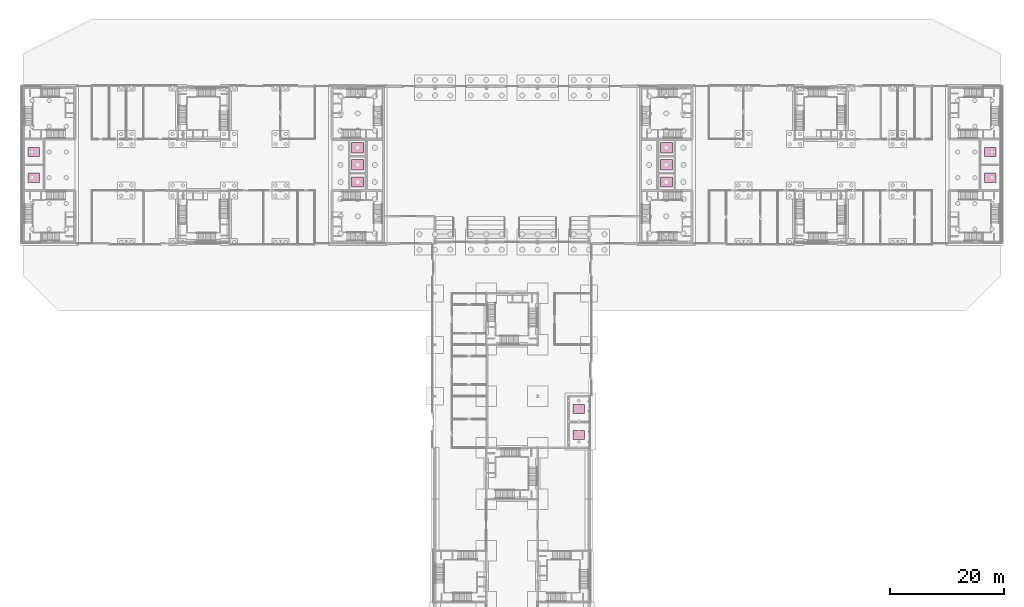
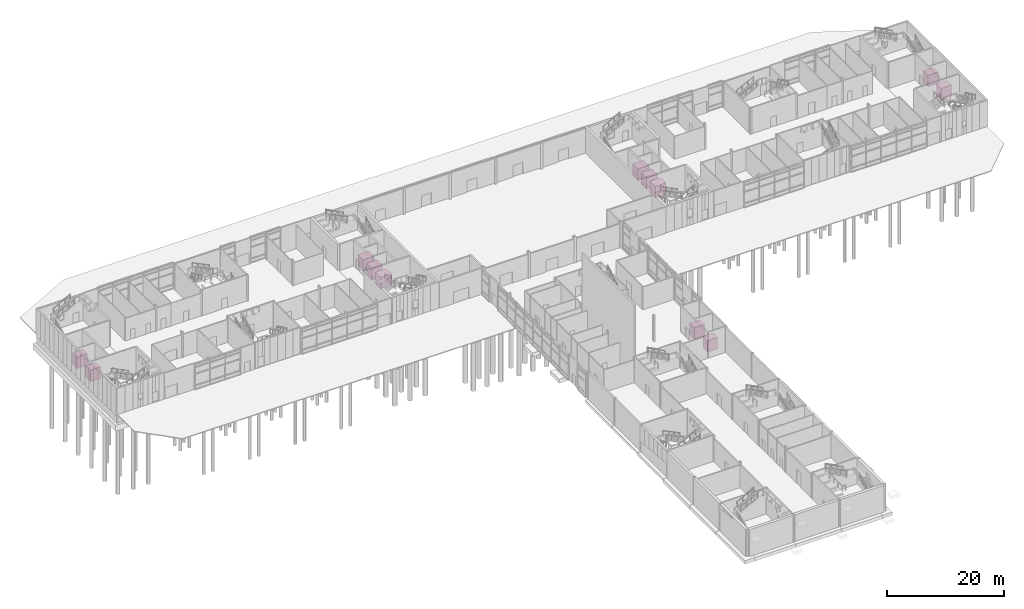
# One storey, part 45 of 45: 12 transport elements.
"""IFC4 building model written with IfcOpenShell, lengths in metres."""

from ifc_helpers import new_model, si_unit, direction, frame, origin, origin_2d, place, context, subcontext, project, spatial, rectangle, extrude, material, type_object, element, save


model = new_model("IFC4")

# Units and contexts
model_context = context("Model", 3, precision=1e-05, world=origin(), true_north=direction((0.0, 1.0)))
body_context = subcontext(model_context, "Body", "Model", "MODEL_VIEW")
ifc_project = project(units=[si_unit("LENGTHUNIT", "METRE"), si_unit("AREAUNIT", "SQUARE_METRE"), si_unit("VOLUMEUNIT", "CUBIC_METRE"), si_unit("PLANEANGLEUNIT", "RADIAN"), si_unit("MASSUNIT", "GRAM", prefix="KILO")], contexts=[model_context])

# Site, building, storey
site_placement = place(None, origin())
site = spatial("IfcSite", under=ifc_project, at=site_placement, CompositionType="ELEMENT")
building_placement = place(site_placement, origin())
building = spatial("IfcBuilding", under=site, at=building_placement, Name="Azimuth Sports and Learning Centre", CompositionType="ELEMENT")
storey_placement = place(building_placement, origin())
storey = spatial("IfcBuildingStorey", under=building, at=storey_placement, Name="L00", CompositionType="ELEMENT", Elevation=0.0)

# Transport elements
ifc_material_1 = material(Name="Passenger lift 1275 kg")
transport_element_type_1 = type_object("IfcTransportElementType", Name="Passenger lift 1275 kg", PredefinedType="ELEVATOR", material=ifc_material_1)
for number, where, z_axis, x_axis, name in (
    (1, (1.8125, 101.25, 0.0), (0.0, 0.0, 1.0), (1.0, 0.0, 0.0), "Lift LWW1"),
    (2, (1.8125, 105.75, 0.0), (0.0, 0.0, 1.0), (1.0, 0.0, 0.0), "Lift LWW2"),
    (3, (169.1875, 101.25, 0.0), (0.0, 0.0, 1.0), (1.0, 0.0, 0.0), "Lift LEW1"),
    (4, (169.1875, 105.75, 0.0), (0.0, 0.0, 1.0), (1.0, 0.0, 0.0), "Lift LEW2"),
    (5, (97.199951171875, 56.25, 0.0), (0.0, 0.0, 1.0), (1.0, 0.0, 0.0), "Lift LS1"),
    (6, (97.199951171875, 60.75, 0.0), (0.0, 0.0, 1.0), (1.0, 0.0, 0.0), "Lift LS2"),
):
    element("IfcTransportElement", number, at=place(storey_placement, frame(where, z_axis=z_axis, x_axis=x_axis)), inside=storey, type_object=transport_element_type_1, Name=name, PredefinedType="ELEVATOR", context=body_context, shape_type="SweptSolid", body=[
        extrude(rectangle(XDim=2.0, YDim=1.60009765625, at=origin_2d()), origin(), (0.0, 0.0, 1.0), 2.39990234375),
    ])
ifc_material_2 = material(Name="Passenger lift 1600 kg")
transport_element_type_2 = type_object("IfcTransportElementType", Name="Passenger lift 1600 kg", PredefinedType="ELEVATOR", material=ifc_material_2)
for number, where, z_axis, x_axis, name in (
    (7, (58.5, 100.5, 0.0), (0.0, 0.0, 1.0), (1.0, 0.0, 0.0), "Lift LW1"),
    (8, (58.5, 103.5, 0.0), (0.0, 0.0, 1.0), (1.0, 0.0, 0.0), "Lift LW2"),
    (9, (58.5, 106.5, 0.0), (0.0, 0.0, 1.0), (1.0, 0.0, 0.0), "Lift LW3"),
    (10, (112.5, 100.5, 0.0), (0.0, 0.0, 1.0), (1.0, 0.0, 0.0), "Lift LE1"),
    (11, (112.5, 103.5, 0.0), (0.0, 0.0, 1.0), (1.0, 0.0, 0.0), "Lift LE2"),
    (12, (112.5, 106.5, 0.0), (0.0, 0.0, 1.0), (1.0, 0.0, 0.0), "Lift LE3"),
):
    element("IfcTransportElement", number, at=place(storey_placement, frame(where, z_axis=z_axis, x_axis=x_axis)), inside=storey, type_object=transport_element_type_2, Name=name, PredefinedType="ELEVATOR", context=body_context, shape_type="SweptSolid", body=[
        extrude(rectangle(XDim=2.10009765625, YDim=1.800048828125, at=origin_2d()), origin(), (0.0, 0.0, 1.0), 2.39990234375),
    ])

save(model, "model.ifc")
